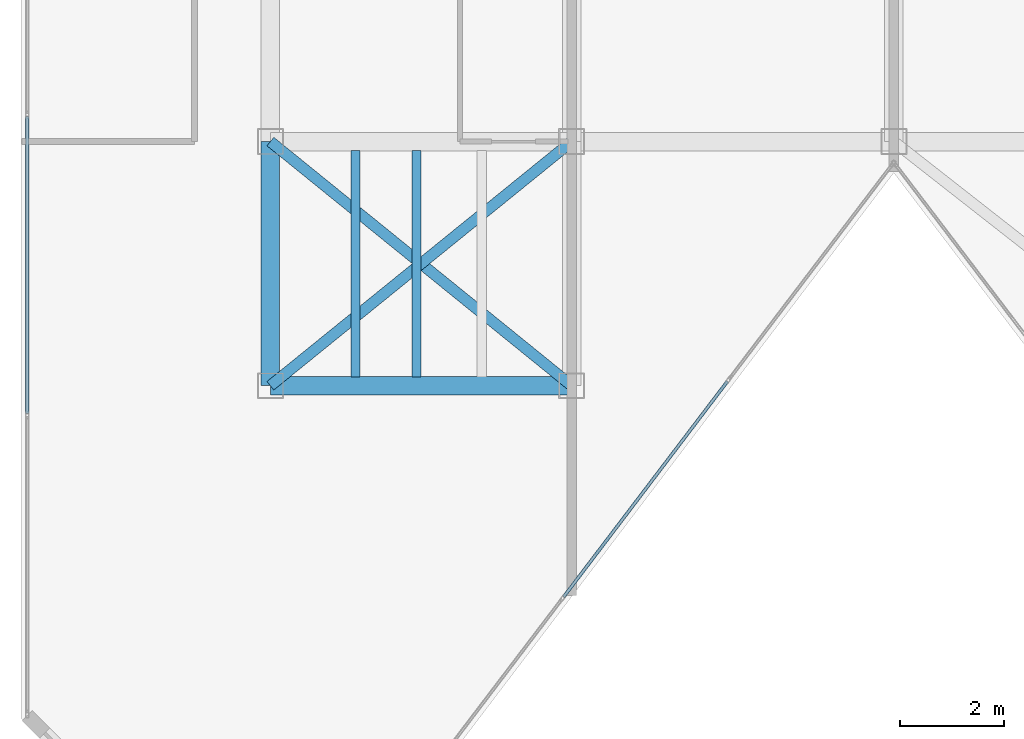
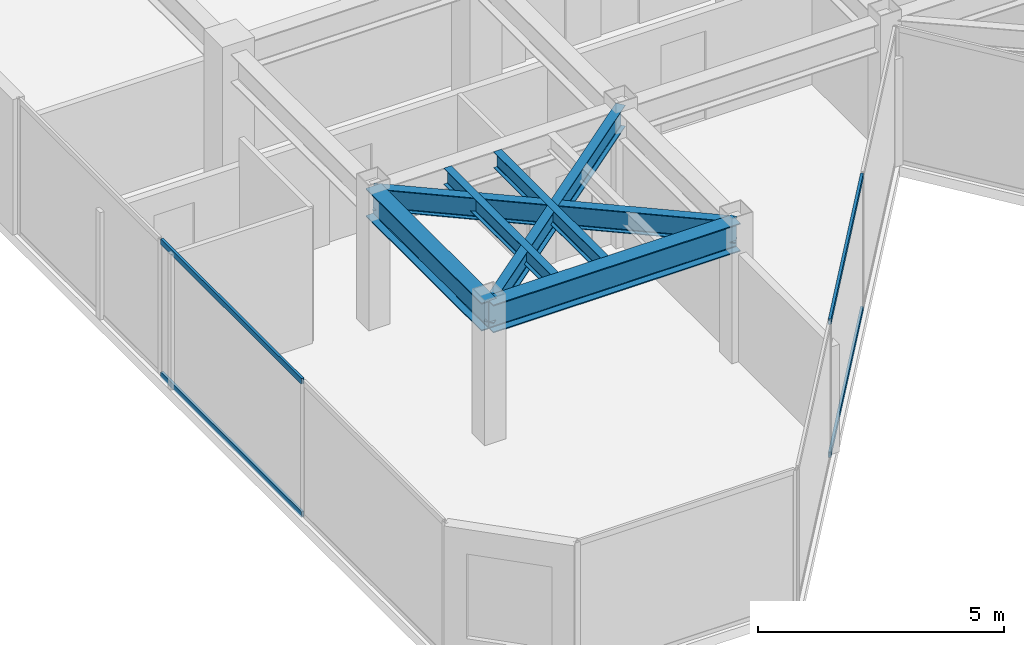
# One storey, part 3 of 19: 6 beams, 4 members, 2 elements without a shape of their own.
"""IFC4 building model written with IfcOpenShell, lengths in metres."""

import ifcopenshell
import ifcopenshell.guid

model = None  # the IFC model being written
_history = None  # IfcOwnerHistory: only IFC2X3 demands one
_inside = {}  # id of a spatial element -> (the spatial element, [elements in it])
_under = {}  # id of a project, library or spatial element -> (it, [spatial elements below it])
_declared = {}  # id of a project -> (the project, [libraries it declares])
_typed = {}  # id of a type object -> (the type object, [elements of that type])
_made_of = {}  # id of a material, layer set ... -> (it, [elements and type objects made of it])


def new_model(schema):
    """Start an empty IFC model of exactly this schema.

    Asked for "IFC4X3", IfcOpenShell would pick the latest addendum, in which some entities
    have other attributes; the version numbers below select the first issue.
    IFC2X3 requires an IfcOwnerHistory on every rooted entity: one is made here for all.
    """
    global model, _history
    if schema == "IFC4X3":
        model = ifcopenshell.file(schema_version=(4, 3, 0, 0))
    else:
        model = ifcopenshell.file(schema=schema)
    _inside.clear()
    _under.clear()
    _declared.clear()
    _typed.clear()
    _made_of.clear()
    _history = None
    if model.schema == "IFC2X3":
        org = make("IfcOrganization", Name="unknown")
        user = make(
            "IfcPersonAndOrganization",
            ThePerson=make("IfcPerson", FamilyName="unknown"),
            TheOrganization=org,
        )
        app = make(
            "IfcApplication",
            ApplicationDeveloper=org,
            Version="unknown",
            ApplicationFullName="unknown",
            ApplicationIdentifier="unknown",
        )
        _history = make(
            "IfcOwnerHistory",
            OwningUser=user,
            OwningApplication=app,
            ChangeAction="ADDED",
            CreationDate=0,
        )
    return model


def make(cls, **values):
    """One entity of the class cls with the attributes given. An attribute that is None is left unset."""
    return model.create_entity(
        cls, **{name: value for name, value in values.items() if value is not None}
    )


def rooted(cls, **values):
    """An entity with a GlobalId (a new one), such as an element, a storey or a relation."""
    return make(cls, GlobalId=ifcopenshell.guid.new(), OwnerHistory=_history, **values)


def si_unit(unit_type, name, prefix=None):
    """IfcSIUnit, for example si_unit("LENGTHUNIT", "METRE", prefix="MILLI")."""
    return make("IfcSIUnit", UnitType=unit_type, Prefix=prefix, Name=name)


def assignment(units):
    """IfcUnitAssignment: the units of a project."""
    return None if units is None else make("IfcUnitAssignment", Units=units)


def point(xyz):
    """IfcCartesianPoint."""
    return None if xyz is None else make("IfcCartesianPoint", Coordinates=xyz)


def direction(xyz):
    """IfcDirection."""
    return None if xyz is None else make("IfcDirection", DirectionRatios=xyz)


def frame(location, z_axis=None, x_axis=None):
    """IfcAxis2Placement3D, a coordinate frame: its origin and axes. An axis left out is left unset."""
    return make(
        "IfcAxis2Placement3D",
        Location=point(location),
        Axis=direction(z_axis),
        RefDirection=direction(x_axis),
    )


def frame_2d(location, x_axis=None):
    """IfcAxis2Placement2D, a coordinate frame in the plane: its origin and x axis."""
    return make(
        "IfcAxis2Placement2D", Location=point(location), RefDirection=direction(x_axis)
    )


def origin():
    """The frame at (0, 0, 0) with its axes left unset."""
    return frame((0.0, 0.0, 0.0))


def origin_2d():
    """The frame at (0, 0) in the plane with its x axis left unset."""
    return frame_2d((0.0, 0.0))


def place(relative_to, where):
    """IfcLocalPlacement: puts the frame where relative to a parent placement (None: the world)."""
    return make(
        "IfcLocalPlacement", PlacementRelTo=relative_to, RelativePlacement=where
    )


def context(
    kind, dimensions, precision=None, world=None, true_north=None, identifier=None
):
    """IfcGeometricRepresentationContext, for example the 3D "Model" context."""
    return make(
        "IfcGeometricRepresentationContext",
        ContextIdentifier=identifier,
        ContextType=kind,
        CoordinateSpaceDimension=dimensions,
        Precision=precision,
        WorldCoordinateSystem=world,
        TrueNorth=true_north,
    )


def subcontext(parent, identifier, kind, view, scale=None):
    """IfcGeometricRepresentationSubContext, for example "Body" below "Model"."""
    return make(
        "IfcGeometricRepresentationSubContext",
        ContextIdentifier=identifier,
        ContextType=kind,
        ParentContext=parent,
        TargetScale=scale,
        TargetView=view,
    )


def project(units=None, contexts=None):
    """IfcProject with its units and contexts."""
    return rooted(
        "IfcProject",
        Name="project",
        RepresentationContexts=contexts,
        UnitsInContext=assignment(units),
    )


def spatial(cls, under=None, at=None, **own):
    """A site, building, storey or space (cls), placed at a placement, below another one or the project."""
    s = rooted(cls, ObjectPlacement=at, **own)
    if under is not None:
        _under.setdefault(under.id(), (under, []))[1].append(s)
    return s


def profile(cls, at=None, kind="AREA", **sizes):
    """A parametric profile (cls). Its sizes go by their IFC names, for example OverallWidth=200.0."""
    return make(cls, ProfileType=kind, Position=at, **sizes)


def hollow_rectangle(**sizes):
    """IfcRectangleHollowProfileDef."""
    return profile("IfcRectangleHollowProfileDef", **sizes)


def i_section(**sizes):
    """IfcIShapeProfileDef."""
    return profile("IfcIShapeProfileDef", **sizes)


def extrude(swept, where, along, depth):
    """IfcExtrudedAreaSolid: the profile swept, set in the frame where, extruded along a direction by depth."""
    return make(
        "IfcExtrudedAreaSolid",
        SweptArea=swept,
        Position=where,
        ExtrudedDirection=direction(along),
        Depth=depth,
    )


def shape(context_of_items, identifier, shape_type, items):
    """IfcShapeRepresentation: the items that make up one representation, for example the "Body"."""
    return make(
        "IfcShapeRepresentation",
        ContextOfItems=context_of_items,
        RepresentationIdentifier=identifier,
        RepresentationType=shape_type,
        Items=items,
    )


def material(Name=None, Category=None):
    """IfcMaterial."""
    return make("IfcMaterial", Name=Name, Category=Category)


def layer(
    of_material, thickness, ventilated=None, Name=None, Category=None, Priority=None
):
    """IfcMaterialLayer: one layer of a wall or slab, of a material (None: an air gap)."""
    return make(
        "IfcMaterialLayer",
        Material=of_material,
        LayerThickness=thickness,
        IsVentilated=ventilated,
        Name=Name,
        Category=Category,
        Priority=Priority,
    )


def layer_set(layers, Name=None):
    """IfcMaterialLayerSet."""
    return make("IfcMaterialLayerSet", MaterialLayers=layers, LayerSetName=Name)


def material_profile(
    of_material, cross_section, Name=None, Category=None, Priority=None
):
    """IfcMaterialProfile: a cross section and its material."""
    return make(
        "IfcMaterialProfile",
        Name=Name,
        Material=of_material,
        Profile=cross_section,
        Priority=Priority,
        Category=Category,
    )


def profile_set(profiles, Name=None, composite=None):
    """IfcMaterialProfileSet."""
    return make(
        "IfcMaterialProfileSet",
        Name=Name,
        MaterialProfiles=profiles,
        CompositeProfile=composite,
    )


def made_of(thing, what):
    """Note that an element or type object is made of a material, layer set ...; save() writes the relation."""
    if what is not None:
        _made_of.setdefault(what.id(), (what, []))[1].append(thing)
    return thing


def type_object(cls, material=None, **own):
    """A type object (cls), such as IfcWallType, which elements share."""
    return made_of(rooted(cls, **own), material)


def element(
    cls,
    number,
    at=None,
    inside=None,
    cuts=None,
    type_object=None,
    material=None,
    context=None,
    identifier="Body",
    shape_type=None,
    held_by="IfcProductDefinitionShape",
    body=None,
    shapes=None,
    **own,
):
    """One element of the class cls, such as IfcWall. Its Tag is "e" and its number.

    at: its placement. inside: the storey or other place that contains it. cuts: it is an
    opening in that element (IfcRelVoidsElement). A single representation is given by context,
    identifier, shape_type and body (its items); several are given by shapes. held_by: the class
    of the entity that holds the representations. save() writes the other relations.
    """
    e = rooted(cls, Tag="e%d" % number, ObjectPlacement=at, **own)
    if body is not None:
        shapes = [shape(context, identifier, shape_type, body)]
    if shapes is not None:
        e.Representation = make(held_by, Representations=shapes)
    if inside is not None:
        _inside.setdefault(inside.id(), (inside, []))[1].append(e)
    if cuts is not None:
        rooted(
            "IfcRelVoidsElement", RelatingBuildingElement=cuts, RelatedOpeningElement=e
        )
    if type_object is not None:
        _typed.setdefault(type_object.id(), (type_object, []))[1].append(e)
    return made_of(e, material)


def aggregate(whole, parts):
    """IfcRelAggregates: a whole, such as a stair, and the parts it consists of."""
    return rooted("IfcRelAggregates", RelatingObject=whole, RelatedObjects=parts)


def save(model, path):
    """Write the relations noted so far, then the file.

    IfcRelAggregates (storeys below a building ...), IfcRelContainedInSpatialStructure (elements
    in a storey), IfcRelDefinesByType, IfcRelAssociatesMaterial and IfcRelDeclares: one each for
    every whole, place, type object, material and project.
    """
    for whole, parts in _under.values():
        aggregate(whole, parts)
    for where, things in _inside.values():
        rooted(
            "IfcRelContainedInSpatialStructure",
            RelatedElements=things,
            RelatingStructure=where,
        )
    for kind, things in _typed.values():
        rooted("IfcRelDefinesByType", RelatedObjects=things, RelatingType=kind)
    for what, things in _made_of.values():
        rooted("IfcRelAssociatesMaterial", RelatedObjects=things, RelatingMaterial=what)
    for by, libraries in _declared.values():
        rooted("IfcRelDeclares", RelatingContext=by, RelatedDefinitions=libraries)
    model.write(path)


model = new_model("IFC4")

# Units and contexts
model_context = context("Model", 3, precision=1e-05, world=origin(), true_north=direction((0.0, 1.0)))
body_context = subcontext(model_context, "Body", "Model", "MODEL_VIEW")
ifc_project = project(units=[si_unit("LENGTHUNIT", "METRE"), si_unit("AREAUNIT", "SQUARE_METRE"), si_unit("VOLUMEUNIT", "CUBIC_METRE"), si_unit("PLANEANGLEUNIT", "RADIAN"), si_unit("MASSUNIT", "GRAM", prefix="KILO")], contexts=[model_context])

# Site, building, storey
site_placement = place(None, origin())
site = spatial("IfcSite", under=ifc_project, at=site_placement, CompositionType="ELEMENT")
building_placement = place(site_placement, origin())
building = spatial("IfcBuilding", under=site, at=building_placement, Name="Kravanh Interchange Tower", CompositionType="ELEMENT")
storey_placement = place(building_placement, frame((0.0, 0.0, 270.60009765625)))
storey = spatial("IfcBuildingStorey", under=building, at=storey_placement, Name="L66", CompositionType="ELEMENT", Elevation=270.60009765625)

# Curtain wall, members
ifc_material_1 = material(Name="Anodised Bronze Aluminium", Category="aluminium")
ifc_layer = layer(ifc_material_1, 0.179931640625)
ifc_layer_set = layer_set([ifc_layer], Name="Unitised Curtain Wall System CW-HTL Luxury Hotel")
curtain_wall_type = type_object("IfcCurtainWallType", Name="Unitised Curtain Wall System CW-HTL Luxury Hotel", PredefinedType="NOTDEFINED", material=ifc_layer_set)
curtain_wall_1_placement = place(storey_placement, origin())
curtain_wall_1 = element("IfcCurtainWall", 1, at=curtain_wall_1_placement, inside=storey, type_object=curtain_wall_type, Name="L66 Unitised Curtain Wall CW-L66-01", PredefinedType="NOTDEFINED")
ifc_material_2 = material(Name="Anodised Bronze Aluminium", Category="aluminium")
ifc_material_profile_1 = material_profile(ifc_material_2, hollow_rectangle(XDim=0.06005859375, YDim=0.139892578125, WallThickness=0.00390625, at=origin_2d()), Name="ALU60X140X4")
ifc_profile_set_1 = profile_set([ifc_material_profile_1], Name="Anodised Bronze Aluminium")
member_type = type_object("IfcMemberType", Name="Curtain Wall Transom ALU60X140X4 Bronze", PredefinedType="USERDEFINED", material=ifc_profile_set_1)
member_1_placement = place(storey_placement, frame((28.1201171875, 26.26318359375, 0.02978515625), z_axis=(0.0, 1.0, 0.0), x_axis=(-1.0, 0.0, 0.0)))
member_1 = element("IfcMember", 2, at=member_1_placement, type_object=member_type, Name="CW-HTL transom 2.1", ObjectType="TRANSOM", PredefinedType="USERDEFINED", context=body_context, shape_type="SweptSolid", body=[
    extrude(hollow_rectangle(XDim=0.06005859375, YDim=0.139892578125, WallThickness=0.00390625, at=origin_2d()), origin(), (0.0, 0.0, 1.0), 5.723388671875),
])
member_2_placement = place(storey_placement, frame((28.1201171875, 26.26318359375, 3.329833984375), z_axis=(0.0, 1.0, 0.0), x_axis=(-1.0, 0.0, 0.0)))
member_2 = element("IfcMember", 3, at=member_2_placement, type_object=member_type, Name="CW-HTL transom 2.2", ObjectType="TRANSOM", PredefinedType="USERDEFINED", context=body_context, shape_type="SweptSolid", body=[
    extrude(hollow_rectangle(XDim=0.06005859375, YDim=0.139892578125, WallThickness=0.00390625, at=origin_2d()), origin(), (0.0, 0.0, 1.0), 5.723388671875),
])
aggregate(curtain_wall_1, [member_1, member_2])

curtain_wall_2_placement = place(storey_placement, origin())
curtain_wall_2 = element("IfcCurtainWall", 4, at=curtain_wall_2_placement, inside=storey, type_object=curtain_wall_type, Name="L66 Unitised Curtain Wall CW-L66-05", PredefinedType="NOTDEFINED")
member_3_placement = place(storey_placement, frame((41.595458984375, 26.881591796875, 0.02978515625), z_axis=(-0.605104668693, -0.796145928788, 0.0), x_axis=(0.796145928788, -0.605104668693, 0.0)))
member_3 = element("IfcMember", 5, at=member_3_placement, type_object=member_type, Name="CW-HTL transom 2.1", ObjectType="TRANSOM", PredefinedType="USERDEFINED", context=body_context, shape_type="SweptSolid", body=[
    extrude(hollow_rectangle(XDim=0.06005859375, YDim=0.139892578125, WallThickness=0.00390625, at=origin_2d()), origin(), (0.0, 0.0, 1.0), 5.206298828125),
])
member_4_placement = place(storey_placement, frame((41.595458984375, 26.881591796875, 3.329833984375), z_axis=(-0.605104668693, -0.796145928788, 0.0), x_axis=(0.796145928788, -0.605104668693, 0.0)))
member_4 = element("IfcMember", 6, at=member_4_placement, type_object=member_type, Name="CW-HTL transom 2.2", ObjectType="TRANSOM", PredefinedType="USERDEFINED", context=body_context, shape_type="SweptSolid", body=[
    extrude(hollow_rectangle(XDim=0.06005859375, YDim=0.139892578125, WallThickness=0.00390625, at=origin_2d()), origin(), (0.0, 0.0, 1.0), 5.206298828125),
])
aggregate(curtain_wall_2, [member_3, member_4])

# Beams
ifc_material_3 = material(Name="Structural Steel S355", Category="steel")
ifc_material_profile_2 = material_profile(ifc_material_3, i_section(OverallWidth=0.35498046875, OverallDepth=0.696044921875, WebThickness=0.015380859375, FlangeThickness=0.02490234375, FilletRadius=0.02392578125, at=origin_2d()), Name="W27X146")
ifc_profile_set_2 = profile_set([ifc_material_profile_2], Name="Structural Steel S355")
beam_type_1 = type_object("IfcBeamType", Name="Floor Beam W27X146 Structural Steel S355", PredefinedType="BEAM", material=ifc_profile_set_2)
beam_1_placement = place(storey_placement, frame((32.800048828125, 31.5, 3.011962890625), z_axis=(0.0, -1.0, 0.0), x_axis=(1.0, 0.0, 0.0)))
element("IfcBeam", 7, at=beam_1_placement, inside=storey, type_object=beam_type_1, Name="L66 Primary Floor Girder 21", PredefinedType="BEAM", context=body_context, shape_type="SweptSolid", body=[
    extrude(i_section(OverallWidth=0.35498046875, OverallDepth=0.696044921875, WebThickness=0.015380859375, FlangeThickness=0.02490234375, FilletRadius=0.02392578125, at=origin_2d()), origin(), (0.0, 0.0, 1.0), 4.699951171875),
])
beam_2_placement = place(storey_placement, frame((38.60009765625, 26.800048828125, 3.011962890625), z_axis=(-1.0, 0.0, 0.0), x_axis=(0.0, -1.0, 0.0)))
element("IfcBeam", 8, at=beam_2_placement, inside=storey, type_object=beam_type_1, Name="L66 Primary Floor Girder 24", PredefinedType="BEAM", context=body_context, shape_type="SweptSolid", body=[
    extrude(i_section(OverallWidth=0.35498046875, OverallDepth=0.696044921875, WebThickness=0.015380859375, FlangeThickness=0.02490234375, FilletRadius=0.02392578125, at=origin_2d()), origin(), (0.0, 0.0, 1.0), 5.800048828125),
])
ifc_material_4 = material(Name="Structural Steel S355", Category="steel")
ifc_material_profile_3 = material_profile(ifc_material_4, i_section(OverallWidth=0.177978515625, OverallDepth=0.406005859375, WebThickness=0.0078125, FlangeThickness=0.0126953125, FilletRadius=0.01611328125, at=origin_2d()), Name="W16X40")
ifc_profile_set_3 = profile_set([ifc_material_profile_3], Name="Structural Steel S355")
beam_type_2 = type_object("IfcBeamType", Name="Floor Joist W16X40 Structural Steel S355", PredefinedType="JOIST", material=ifc_profile_set_3)
for number, where, z_axis, x_axis, name in (
    (9, (34.43994140625, 26.972412109375, 3.156982421875), (0.0, 1.0, 0.0), (-1.0, 0.0, 0.0), "L66 Secondary Floor Joist 4"),
    (10, (35.610107421875, 26.972412109375, 3.156982421875), (0.0, 1.0, 0.0), (-1.0, 0.0, 0.0), "L66 Secondary Floor Joist 5"),
):
    element("IfcBeam", number, at=place(storey_placement, frame(where, z_axis=z_axis, x_axis=x_axis)), inside=storey, type_object=beam_type_2, Name=name, PredefinedType="JOIST", context=body_context, shape_type="SweptSolid", body=[
        extrude(i_section(OverallWidth=0.177978515625, OverallDepth=0.406005859375, WebThickness=0.0078125, FlangeThickness=0.0126953125, FilletRadius=0.01611328125, at=origin_2d()), origin(), (0.0, 0.0, 1.0), 4.35498046875),
    ])
ifc_material_5 = material(Name="Structural Steel S355", Category="steel")
ifc_material_profile_4 = material_profile(ifc_material_5, i_section(OverallWidth=0.2099609375, OverallDepth=0.537109375, WebThickness=0.010986328125, FlangeThickness=0.017333984375, FilletRadius=0.02001953125, at=origin_2d()), Name="W21X68")
ifc_profile_set_4 = profile_set([ifc_material_profile_4], Name="Structural Steel S355")
beam_type_3 = type_object("IfcBeamType", Name="Floor Spandrel W21X68 Structural Steel S355", PredefinedType="SPANDREL", material=ifc_profile_set_4)
for number, where, z_axis, x_axis, name in (
    (11, (38.60009765625, 31.5, 3.09130859375), (-0.776938619557, -0.629576350764, 0.0), (0.629576350764, -0.776938619557, 0.0), "L66 Perimeter Spandrel 20"),
    (12, (32.800048828125, 31.5, 3.09130859375), (0.776938619557, -0.629576350764, 0.0), (0.629576350764, 0.776938619557, 0.0), "L66 Perimeter Spandrel 23"),
):
    element("IfcBeam", number, at=place(storey_placement, frame(where, z_axis=z_axis, x_axis=x_axis)), inside=storey, type_object=beam_type_3, Name=name, PredefinedType="SPANDREL", context=body_context, shape_type="SweptSolid", body=[
        extrude(i_section(OverallWidth=0.2099609375, OverallDepth=0.537109375, WebThickness=0.010986328125, FlangeThickness=0.017333984375, FilletRadius=0.02001953125, at=origin_2d()), origin(), (0.0, 0.0, 1.0), 7.46533203125),
    ])

save(model, "model.ifc")
